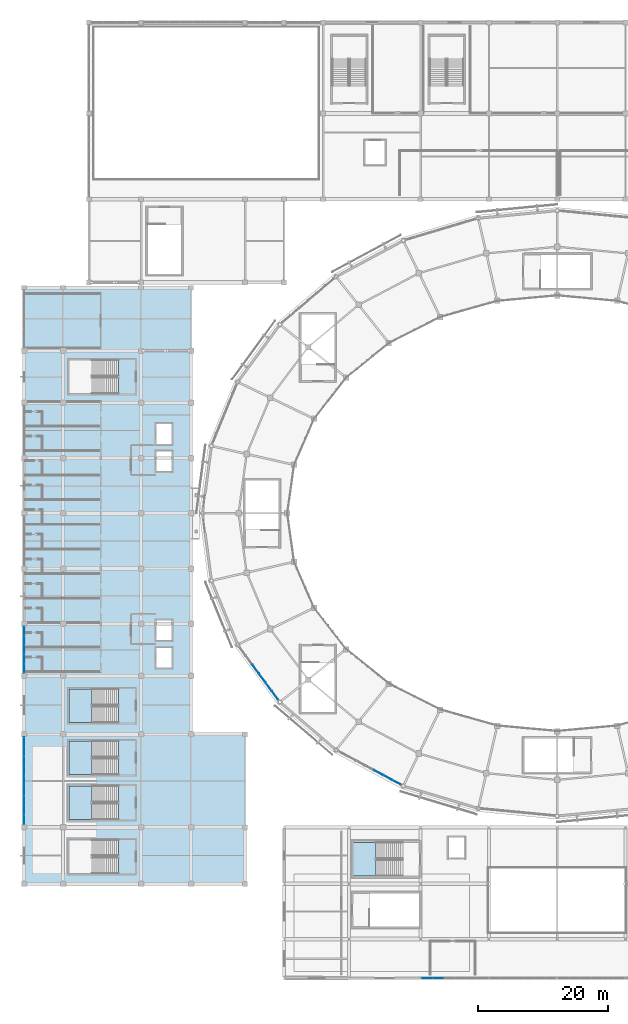
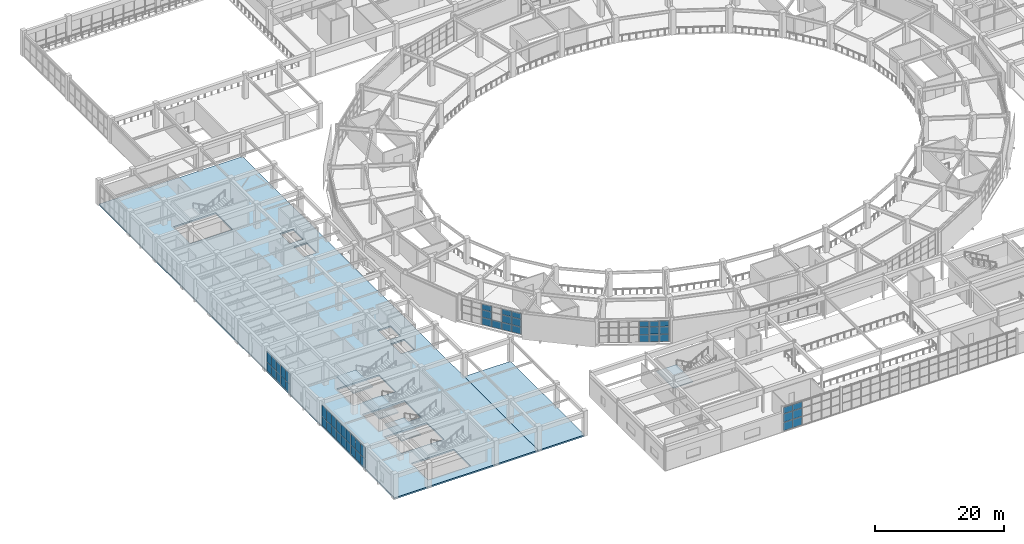
# One storey, part 66 of 112: 53 plates, 6 slabs, 9 elements without a shape of their own.
"""IFC4 building model written with IfcOpenShell, lengths in metres."""

from ifc_helpers import new_model, si_unit, direction, frame, origin, origin_2d, place, context, subcontext, project, spatial, polyline, rectangle, outline, extrude, material, layer, layer_set, type_object, element, aggregate, save


model = new_model("IFC4")

# Units and contexts
model_context = context("Model", 3, precision=1e-05, world=origin(), true_north=direction((0.0, 1.0)))
body_context = subcontext(model_context, "Body", "Model", "MODEL_VIEW")
ifc_project = project(units=[si_unit("LENGTHUNIT", "METRE"), si_unit("AREAUNIT", "SQUARE_METRE"), si_unit("VOLUMEUNIT", "CUBIC_METRE"), si_unit("PLANEANGLEUNIT", "RADIAN"), si_unit("MASSUNIT", "GRAM", prefix="KILO")], contexts=[model_context])

# Site, building, storey
site_placement = place(None, origin())
site = spatial("IfcSite", under=ifc_project, at=site_placement, CompositionType="ELEMENT")
building_placement = place(site_placement, origin())
building = spatial("IfcBuilding", under=site, at=building_placement, Name="Cuetzalor Civic Arena", CompositionType="ELEMENT")
storey_placement = place(building_placement, frame((0.0, 0.0, 11.39990234375)))
storey = spatial("IfcBuildingStorey", under=building, at=storey_placement, Name="L02", CompositionType="ELEMENT", Elevation=11.39990234375)

# Curtain wall, plates
ifc_material_1 = material(Name="Anodised dark bronze aluminium and low-E solar glass", Category="aluminium")
curtain_wall_type_1 = type_object("IfcCurtainWallType", Name="UnitisedCW_10150x4050", PredefinedType="USERDEFINED", material=ifc_material_1)
curtain_wall_1_placement = place(storey_placement, origin())
curtain_wall_1 = element("IfcCurtainWall", 1, at=curtain_wall_1_placement, inside=storey, type_object=curtain_wall_type_1, Name="Drum Triangle Foyer Curtain Wall L02-039", ObjectType="UNITISED CURTAIN WALL", PredefinedType="USERDEFINED")
ifc_material_2 = material(Name="Acoustic laminated solar control glass", Category="glass")
ifc_layer_1 = layer(ifc_material_2, 0.0439453125)
ifc_layer_set_1 = layer_set([ifc_layer_1], Name="Acoustic laminated solar control glass")
plate_type_1 = type_object("IfcPlateType", Name="AcousticTripleGlazedPanel_44", PredefinedType="CURTAIN_PANEL", material=ifc_layer_set_1)
plate_1_placement = place(storey_placement, frame((-43.40185546875, -28.000732421875, 0.06494140625), z_axis=(0.0, 0.0, 1.0), x_axis=(-0.59292931222, 0.805254513002, 0.0)))
plate_1 = element("IfcPlate", 2, at=plate_1_placement, type_object=plate_type_1, Name="CW-12 panel 1.1", PredefinedType="CURTAIN_PANEL", context=body_context, shape_type="SweptSolid", body=[
    extrude(rectangle(XDim=1.59326171875, YDim=0.0439453125, at=origin_2d()), origin(), (0.0, 0.0, 1.0), 1.361572265625),
])
plate_2_placement = place(storey_placement, frame((-43.40185546875, -28.000732421875, 1.491455078125), z_axis=(0.0, 0.0, 1.0), x_axis=(-0.59292931222, 0.805254513002, 0.0)))
plate_2 = element("IfcPlate", 3, at=plate_2_placement, type_object=plate_type_1, Name="CW-12 panel 1.2", PredefinedType="CURTAIN_PANEL", context=body_context, shape_type="SweptSolid", body=[
    extrude(rectangle(XDim=1.59326171875, YDim=0.0439453125, at=origin_2d()), origin(), (0.0, 0.0, 1.0), 1.39404296875),
])
plate_3_placement = place(storey_placement, frame((-43.40185546875, -28.000732421875, 2.950439453125), z_axis=(0.0, 0.0, 1.0), x_axis=(-0.59292931222, 0.805254513002, 0.0)))
plate_3 = element("IfcPlate", 4, at=plate_3_placement, type_object=plate_type_1, Name="CW-12 panel 1.3", PredefinedType="CURTAIN_PANEL", context=body_context, shape_type="SweptSolid", body=[
    extrude(rectangle(XDim=1.59326171875, YDim=0.0439453125, at=origin_2d()), origin(), (0.0, 0.0, 1.0), 1.03759765625),
])
plate_4_placement = place(storey_placement, frame((-44.394775390625, -26.652587890625, 0.06494140625), z_axis=(0.0, 0.0, 1.0), x_axis=(-0.59292931222, 0.805254513002, 0.0)))
plate_4 = element("IfcPlate", 5, at=plate_4_placement, type_object=plate_type_1, Name="CW-12 panel 2.1", PredefinedType="CURTAIN_PANEL", context=body_context, shape_type="SweptSolid", body=[
    extrude(rectangle(XDim=1.625732421875, YDim=0.0439453125, at=origin_2d()), origin(), (0.0, 0.0, 1.0), 1.361572265625),
])
plate_5_placement = place(storey_placement, frame((-44.394775390625, -26.652587890625, 1.491455078125), z_axis=(0.0, 0.0, 1.0), x_axis=(-0.59292931222, 0.805254513002, 0.0)))
plate_5 = element("IfcPlate", 6, at=plate_5_placement, type_object=plate_type_1, Name="CW-12 panel 2.2", PredefinedType="CURTAIN_PANEL", context=body_context, shape_type="SweptSolid", body=[
    extrude(rectangle(XDim=1.625732421875, YDim=0.0439453125, at=origin_2d()), origin(), (0.0, 0.0, 1.0), 1.39404296875),
])
plate_6_placement = place(storey_placement, frame((-44.394775390625, -26.652587890625, 2.950439453125), z_axis=(0.0, 0.0, 1.0), x_axis=(-0.59292931222, 0.805254513002, 0.0)))
plate_6 = element("IfcPlate", 7, at=plate_6_placement, type_object=plate_type_1, Name="CW-12 panel 2.3", PredefinedType="CURTAIN_PANEL", context=body_context, shape_type="SweptSolid", body=[
    extrude(rectangle(XDim=1.625732421875, YDim=0.0439453125, at=origin_2d()), origin(), (0.0, 0.0, 1.0), 1.03759765625),
])
plate_7_placement = place(storey_placement, frame((-45.397216796875, -25.291015625, 0.06494140625), z_axis=(0.0, 0.0, 1.0), x_axis=(-0.59292931222, 0.805254513002, 0.0)))
plate_7 = element("IfcPlate", 8, at=plate_7_placement, type_object=plate_type_1, Name="CW-12 panel 3.1", PredefinedType="CURTAIN_PANEL", context=body_context, shape_type="SweptSolid", body=[
    extrude(rectangle(XDim=1.625732421875, YDim=0.0439453125, at=origin_2d()), origin(), (0.0, 0.0, 1.0), 1.361572265625),
])
plate_8_placement = place(storey_placement, frame((-46.399658203125, -23.9296875, 0.06494140625), z_axis=(0.0, 0.0, 1.0), x_axis=(-0.59292931222, 0.805254513002, 0.0)))
plate_8 = element("IfcPlate", 9, at=plate_8_placement, type_object=plate_type_1, Name="CW-12 panel 4.1", PredefinedType="CURTAIN_PANEL", context=body_context, shape_type="SweptSolid", body=[
    extrude(rectangle(XDim=1.625732421875, YDim=0.0439453125, at=origin_2d()), origin(), (0.0, 0.0, 1.0), 1.361572265625),
])
plate_9_placement = place(storey_placement, frame((-46.399658203125, -23.9296875, 1.491455078125), z_axis=(0.0, 0.0, 1.0), x_axis=(-0.59292931222, 0.805254513002, 0.0)))
plate_9 = element("IfcPlate", 10, at=plate_9_placement, type_object=plate_type_1, Name="CW-12 panel 4.2", PredefinedType="CURTAIN_PANEL", context=body_context, shape_type="SweptSolid", body=[
    extrude(rectangle(XDim=1.625732421875, YDim=0.0439453125, at=origin_2d()), origin(), (0.0, 0.0, 1.0), 1.39404296875),
])
plate_10_placement = place(storey_placement, frame((-46.399658203125, -23.9296875, 2.950439453125), z_axis=(0.0, 0.0, 1.0), x_axis=(-0.59292931222, 0.805254513002, 0.0)))
plate_10 = element("IfcPlate", 11, at=plate_10_placement, type_object=plate_type_1, Name="CW-12 panel 4.3", PredefinedType="CURTAIN_PANEL", context=body_context, shape_type="SweptSolid", body=[
    extrude(rectangle(XDim=1.625732421875, YDim=0.0439453125, at=origin_2d()), origin(), (0.0, 0.0, 1.0), 1.03759765625),
])
aggregate(curtain_wall_1, [plate_1, plate_2, plate_3, plate_4, plate_5, plate_6, plate_7, plate_8, plate_9, plate_10])

ifc_material_3 = material(Name="Anodised dark bronze aluminium and low-E solar glass", Category="aluminium")
curtain_wall_type_2 = type_object("IfcCurtainWallType", Name="UnitisedCW_10950x4050", PredefinedType="USERDEFINED", material=ifc_material_3)
curtain_wall_2_placement = place(storey_placement, origin())
curtain_wall_2 = element("IfcCurtainWall", 12, at=curtain_wall_2_placement, inside=storey, type_object=curtain_wall_type_2, Name="Drum Triangle Foyer Curtain Wall L02-040", ObjectType="UNITISED CURTAIN WALL", PredefinedType="USERDEFINED")
plate_11_placement = place(storey_placement, frame((-24.7197265625, -41.37646484375, 0.06494140625), z_axis=(0.0, 0.0, 1.0), x_axis=(-0.881306344124, 0.472545371163, 0.0)))
plate_11 = element("IfcPlate", 13, at=plate_11_placement, type_object=plate_type_1, Name="CW-13 panel 1.1", PredefinedType="CURTAIN_PANEL", context=body_context, shape_type="SweptSolid", body=[
    extrude(rectangle(XDim=1.46630859375, YDim=0.0439453125, at=origin_2d()), origin(), (0.0, 0.0, 1.0), 1.361572265625),
])
plate_12_placement = place(storey_placement, frame((-24.7197265625, -41.37646484375, 1.491455078125), z_axis=(0.0, 0.0, 1.0), x_axis=(-0.881306344124, 0.472545371163, 0.0)))
plate_12 = element("IfcPlate", 14, at=plate_12_placement, type_object=plate_type_1, Name="CW-13 panel 1.2", PredefinedType="CURTAIN_PANEL", context=body_context, shape_type="SweptSolid", body=[
    extrude(rectangle(XDim=1.46630859375, YDim=0.0439453125, at=origin_2d()), origin(), (0.0, 0.0, 1.0), 1.39404296875),
])
plate_13_placement = place(storey_placement, frame((-24.7197265625, -41.37646484375, 2.950439453125), z_axis=(0.0, 0.0, 1.0), x_axis=(-0.881306344124, 0.472545371163, 0.0)))
plate_13 = element("IfcPlate", 15, at=plate_13_placement, type_object=plate_type_1, Name="CW-13 panel 1.3", PredefinedType="CURTAIN_PANEL", context=body_context, shape_type="SweptSolid", body=[
    extrude(rectangle(XDim=1.46630859375, YDim=0.0439453125, at=origin_2d()), origin(), (0.0, 0.0, 1.0), 1.03759765625),
])
plate_14_placement = place(storey_placement, frame((-26.08349609375, -40.64501953125, 0.06494140625), z_axis=(0.0, 0.0, 1.0), x_axis=(-0.881306344124, 0.472545371163, 0.0)))
plate_14 = element("IfcPlate", 16, at=plate_14_placement, type_object=plate_type_1, Name="CW-13 panel 2.1", PredefinedType="CURTAIN_PANEL", context=body_context, shape_type="SweptSolid", body=[
    extrude(rectangle(XDim=1.498779296875, YDim=0.0439453125, at=origin_2d()), origin(), (0.0, 0.0, 1.0), 1.361572265625),
])
plate_15_placement = place(storey_placement, frame((-26.08349609375, -40.64501953125, 1.491455078125), z_axis=(0.0, 0.0, 1.0), x_axis=(-0.881306344124, 0.472545371163, 0.0)))
plate_15 = element("IfcPlate", 17, at=plate_15_placement, type_object=plate_type_1, Name="CW-13 panel 2.2", PredefinedType="CURTAIN_PANEL", context=body_context, shape_type="SweptSolid", body=[
    extrude(rectangle(XDim=1.498779296875, YDim=0.0439453125, at=origin_2d()), origin(), (0.0, 0.0, 1.0), 1.39404296875),
])
plate_16_placement = place(storey_placement, frame((-26.08349609375, -40.64501953125, 2.950439453125), z_axis=(0.0, 0.0, 1.0), x_axis=(-0.881306344124, 0.472545371163, 0.0)))
plate_16 = element("IfcPlate", 18, at=plate_16_placement, type_object=plate_type_1, Name="CW-13 panel 2.3", PredefinedType="CURTAIN_PANEL", context=body_context, shape_type="SweptSolid", body=[
    extrude(rectangle(XDim=1.498779296875, YDim=0.0439453125, at=origin_2d()), origin(), (0.0, 0.0, 1.0), 1.03759765625),
])
plate_17_placement = place(storey_placement, frame((-27.461669921875, -39.90625, 0.06494140625), z_axis=(0.0, 0.0, 1.0), x_axis=(-0.881306344124, 0.472545371163, 0.0)))
plate_17 = element("IfcPlate", 19, at=plate_17_placement, type_object=plate_type_1, Name="CW-13 panel 3.1", PredefinedType="CURTAIN_PANEL", context=body_context, shape_type="SweptSolid", body=[
    extrude(rectangle(XDim=1.498779296875, YDim=0.0439453125, at=origin_2d()), origin(), (0.0, 0.0, 1.0), 1.361572265625),
])
plate_18_placement = place(storey_placement, frame((-27.461669921875, -39.90625, 1.491455078125), z_axis=(0.0, 0.0, 1.0), x_axis=(-0.881306344124, 0.472545371163, 0.0)))
plate_18 = element("IfcPlate", 20, at=plate_18_placement, type_object=plate_type_1, Name="CW-13 panel 3.2", PredefinedType="CURTAIN_PANEL", context=body_context, shape_type="SweptSolid", body=[
    extrude(rectangle(XDim=1.498779296875, YDim=0.0439453125, at=origin_2d()), origin(), (0.0, 0.0, 1.0), 1.39404296875),
])
plate_19_placement = place(storey_placement, frame((-27.461669921875, -39.90625, 2.950439453125), z_axis=(0.0, 0.0, 1.0), x_axis=(-0.881306344124, 0.472545371163, 0.0)))
plate_19 = element("IfcPlate", 21, at=plate_19_placement, type_object=plate_type_1, Name="CW-13 panel 3.3", PredefinedType="CURTAIN_PANEL", context=body_context, shape_type="SweptSolid", body=[
    extrude(rectangle(XDim=1.498779296875, YDim=0.0439453125, at=origin_2d()), origin(), (0.0, 0.0, 1.0), 1.03759765625),
])
aggregate(curtain_wall_2, [plate_11, plate_12, plate_13, plate_14, plate_15, plate_16, plate_17, plate_18, plate_19])

ifc_material_4 = material(Name="Anodised dark bronze aluminium and low-E solar glass", Category="aluminium")
curtain_wall_type_3 = type_object("IfcCurtainWallType", Name="UnitisedCW_13500x4000", PredefinedType="USERDEFINED", material=ifc_material_4)
curtain_wall_3_placement = place(storey_placement, origin())
curtain_wall_3 = element("IfcCurtainWall", 22, at=curtain_wall_3_placement, inside=storey, type_object=curtain_wall_type_3, Name="V4W Suite Viewing Curtain Wall L02-113", ObjectType="UNITISED CURTAIN WALL", PredefinedType="USERDEFINED")
plate_20_placement = place(storey_placement, frame((-82.0, -47.12744140625, 0.065185546875), z_axis=(0.0, 0.0, 1.0), x_axis=(0.0, 1.0, 0.0)))
plate_20 = element("IfcPlate", 23, at=plate_20_placement, type_object=plate_type_1, Name="CW-40 panel 1.1", PredefinedType="CURTAIN_PANEL", context=body_context, shape_type="SweptSolid", body=[
    extrude(rectangle(XDim=1.40087890625, YDim=0.0439453125, at=origin_2d()), origin(), (0.0, 0.0, 1.0), 1.6923828125),
])
plate_21_placement = place(storey_placement, frame((-82.0, -47.12744140625, 1.82275390625), z_axis=(0.0, 0.0, 1.0), x_axis=(0.0, 1.0, 0.0)))
plate_21 = element("IfcPlate", 24, at=plate_21_placement, type_object=plate_type_1, Name="CW-40 panel 1.2", PredefinedType="CURTAIN_PANEL", context=body_context, shape_type="SweptSolid", body=[
    extrude(rectangle(XDim=1.40087890625, YDim=0.0439453125, at=origin_2d()), origin(), (0.0, 0.0, 1.0), 2.089599609375),
])
plate_22_placement = place(storey_placement, frame((-82.0, -45.645263671875, 0.065185546875), z_axis=(0.0, 0.0, 1.0), x_axis=(0.0, 1.0, 0.0)))
plate_22 = element("IfcPlate", 25, at=plate_22_placement, type_object=plate_type_1, Name="CW-40 panel 2.1", PredefinedType="CURTAIN_PANEL", context=body_context, shape_type="SweptSolid", body=[
    extrude(rectangle(XDim=1.433349609375, YDim=0.0439453125, at=origin_2d()), origin(), (0.0, 0.0, 1.0), 1.6923828125),
])
plate_23_placement = place(storey_placement, frame((-82.0, -45.645263671875, 1.82275390625), z_axis=(0.0, 0.0, 1.0), x_axis=(0.0, 1.0, 0.0)))
plate_23 = element("IfcPlate", 26, at=plate_23_placement, type_object=plate_type_1, Name="CW-40 panel 2.2", PredefinedType="CURTAIN_PANEL", context=body_context, shape_type="SweptSolid", body=[
    extrude(rectangle(XDim=1.433349609375, YDim=0.0439453125, at=origin_2d()), origin(), (0.0, 0.0, 1.0), 2.089599609375),
])
plate_24_placement = place(storey_placement, frame((-82.0, -44.14697265625, 0.065185546875), z_axis=(0.0, 0.0, 1.0), x_axis=(0.0, 1.0, 0.0)))
plate_24 = element("IfcPlate", 27, at=plate_24_placement, type_object=plate_type_1, Name="CW-40 panel 3.1", PredefinedType="CURTAIN_PANEL", context=body_context, shape_type="SweptSolid", body=[
    extrude(rectangle(XDim=1.433349609375, YDim=0.0439453125, at=origin_2d()), origin(), (0.0, 0.0, 1.0), 1.6923828125),
])
plate_25_placement = place(storey_placement, frame((-82.0, -44.14697265625, 1.82275390625), z_axis=(0.0, 0.0, 1.0), x_axis=(0.0, 1.0, 0.0)))
plate_25 = element("IfcPlate", 28, at=plate_25_placement, type_object=plate_type_1, Name="CW-40 panel 3.2", PredefinedType="CURTAIN_PANEL", context=body_context, shape_type="SweptSolid", body=[
    extrude(rectangle(XDim=1.433349609375, YDim=0.0439453125, at=origin_2d()), origin(), (0.0, 0.0, 1.0), 2.089599609375),
])
plate_26_placement = place(storey_placement, frame((-82.0, -42.6484375, 0.065185546875), z_axis=(0.0, 0.0, 1.0), x_axis=(0.0, 1.0, 0.0)))
plate_26 = element("IfcPlate", 29, at=plate_26_placement, type_object=plate_type_1, Name="CW-40 panel 4.1", PredefinedType="CURTAIN_PANEL", context=body_context, shape_type="SweptSolid", body=[
    extrude(rectangle(XDim=1.433349609375, YDim=0.0439453125, at=origin_2d()), origin(), (0.0, 0.0, 1.0), 1.6923828125),
])
plate_27_placement = place(storey_placement, frame((-82.0, -42.6484375, 1.82275390625), z_axis=(0.0, 0.0, 1.0), x_axis=(0.0, 1.0, 0.0)))
plate_27 = element("IfcPlate", 30, at=plate_27_placement, type_object=plate_type_1, Name="CW-40 panel 4.2", PredefinedType="CURTAIN_PANEL", context=body_context, shape_type="SweptSolid", body=[
    extrude(rectangle(XDim=1.433349609375, YDim=0.0439453125, at=origin_2d()), origin(), (0.0, 0.0, 1.0), 2.089599609375),
])
plate_28_placement = place(storey_placement, frame((-82.0, -41.14990234375, 0.065185546875), z_axis=(0.0, 0.0, 1.0), x_axis=(0.0, 1.0, 0.0)))
plate_28 = element("IfcPlate", 31, at=plate_28_placement, type_object=plate_type_1, Name="CW-40 panel 5.1", PredefinedType="CURTAIN_PANEL", context=body_context, shape_type="SweptSolid", body=[
    extrude(rectangle(XDim=1.433349609375, YDim=0.0439453125, at=origin_2d()), origin(), (0.0, 0.0, 1.0), 1.6923828125),
])
plate_29_placement = place(storey_placement, frame((-82.0, -41.14990234375, 1.82275390625), z_axis=(0.0, 0.0, 1.0), x_axis=(0.0, 1.0, 0.0)))
plate_29 = element("IfcPlate", 32, at=plate_29_placement, type_object=plate_type_1, Name="CW-40 panel 5.2", PredefinedType="CURTAIN_PANEL", context=body_context, shape_type="SweptSolid", body=[
    extrude(rectangle(XDim=1.433349609375, YDim=0.0439453125, at=origin_2d()), origin(), (0.0, 0.0, 1.0), 2.089599609375),
])
plate_30_placement = place(storey_placement, frame((-82.0, -39.651611328125, 0.065185546875), z_axis=(0.0, 0.0, 1.0), x_axis=(0.0, 1.0, 0.0)))
plate_30 = element("IfcPlate", 33, at=plate_30_placement, type_object=plate_type_1, Name="CW-40 panel 6.1", PredefinedType="CURTAIN_PANEL", context=body_context, shape_type="SweptSolid", body=[
    extrude(rectangle(XDim=1.433349609375, YDim=0.0439453125, at=origin_2d()), origin(), (0.0, 0.0, 1.0), 1.6923828125),
])
plate_31_placement = place(storey_placement, frame((-82.0, -39.651611328125, 1.82275390625), z_axis=(0.0, 0.0, 1.0), x_axis=(0.0, 1.0, 0.0)))
plate_31 = element("IfcPlate", 34, at=plate_31_placement, type_object=plate_type_1, Name="CW-40 panel 6.2", PredefinedType="CURTAIN_PANEL", context=body_context, shape_type="SweptSolid", body=[
    extrude(rectangle(XDim=1.433349609375, YDim=0.0439453125, at=origin_2d()), origin(), (0.0, 0.0, 1.0), 2.089599609375),
])
plate_32_placement = place(storey_placement, frame((-82.0, -38.153076171875, 0.065185546875), z_axis=(0.0, 0.0, 1.0), x_axis=(0.0, 1.0, 0.0)))
plate_32 = element("IfcPlate", 35, at=plate_32_placement, type_object=plate_type_1, Name="CW-40 panel 7.1", PredefinedType="CURTAIN_PANEL", context=body_context, shape_type="SweptSolid", body=[
    extrude(rectangle(XDim=1.433349609375, YDim=0.0439453125, at=origin_2d()), origin(), (0.0, 0.0, 1.0), 1.6923828125),
])
plate_33_placement = place(storey_placement, frame((-82.0, -38.153076171875, 1.82275390625), z_axis=(0.0, 0.0, 1.0), x_axis=(0.0, 1.0, 0.0)))
plate_33 = element("IfcPlate", 36, at=plate_33_placement, type_object=plate_type_1, Name="CW-40 panel 7.2", PredefinedType="CURTAIN_PANEL", context=body_context, shape_type="SweptSolid", body=[
    extrude(rectangle(XDim=1.433349609375, YDim=0.0439453125, at=origin_2d()), origin(), (0.0, 0.0, 1.0), 2.089599609375),
])
plate_34_placement = place(storey_placement, frame((-82.0, -36.65478515625, 0.065185546875), z_axis=(0.0, 0.0, 1.0), x_axis=(0.0, 1.0, 0.0)))
plate_34 = element("IfcPlate", 37, at=plate_34_placement, type_object=plate_type_1, Name="CW-40 panel 8.1", PredefinedType="CURTAIN_PANEL", context=body_context, shape_type="SweptSolid", body=[
    extrude(rectangle(XDim=1.433349609375, YDim=0.0439453125, at=origin_2d()), origin(), (0.0, 0.0, 1.0), 1.6923828125),
])
plate_35_placement = place(storey_placement, frame((-82.0, -36.65478515625, 1.82275390625), z_axis=(0.0, 0.0, 1.0), x_axis=(0.0, 1.0, 0.0)))
plate_35 = element("IfcPlate", 38, at=plate_35_placement, type_object=plate_type_1, Name="CW-40 panel 8.2", PredefinedType="CURTAIN_PANEL", context=body_context, shape_type="SweptSolid", body=[
    extrude(rectangle(XDim=1.433349609375, YDim=0.0439453125, at=origin_2d()), origin(), (0.0, 0.0, 1.0), 2.089599609375),
])
plate_36_placement = place(storey_placement, frame((-82.0, -35.17236328125, 0.065185546875), z_axis=(0.0, 0.0, 1.0), x_axis=(0.0, 1.0, 0.0)))
plate_36 = element("IfcPlate", 39, at=plate_36_placement, type_object=plate_type_1, Name="CW-40 panel 9.1", PredefinedType="CURTAIN_PANEL", context=body_context, shape_type="SweptSolid", body=[
    extrude(rectangle(XDim=1.40087890625, YDim=0.0439453125, at=origin_2d()), origin(), (0.0, 0.0, 1.0), 1.6923828125),
])
plate_37_placement = place(storey_placement, frame((-82.0, -35.17236328125, 1.82275390625), z_axis=(0.0, 0.0, 1.0), x_axis=(0.0, 1.0, 0.0)))
plate_37 = element("IfcPlate", 40, at=plate_37_placement, type_object=plate_type_1, Name="CW-40 panel 9.2", PredefinedType="CURTAIN_PANEL", context=body_context, shape_type="SweptSolid", body=[
    extrude(rectangle(XDim=1.40087890625, YDim=0.0439453125, at=origin_2d()), origin(), (0.0, 0.0, 1.0), 2.089599609375),
])
aggregate(curtain_wall_3, [plate_20, plate_21, plate_22, plate_23, plate_24, plate_25, plate_26, plate_27, plate_28, plate_29, plate_30, plate_31, plate_32, plate_33, plate_34, plate_35, plate_36, plate_37])

ifc_material_5 = material(Name="Anodised dark bronze aluminium and low-E solar glass", Category="aluminium")
curtain_wall_type_4 = type_object("IfcCurtainWallType", Name="UnitisedCW_7200x3850", PredefinedType="USERDEFINED", material=ifc_material_5)
curtain_wall_4_placement = place(storey_placement, origin())
curtain_wall_4 = element("IfcCurtainWall", 41, at=curtain_wall_4_placement, inside=storey, type_object=curtain_wall_type_4, Name="V4W Suite Viewing Curtain Wall L02-114", ObjectType="UNITISED CURTAIN WALL", PredefinedType="USERDEFINED")
plate_38_placement = place(storey_placement, frame((-82.0, -23.858154296875, 0.06494140625), z_axis=(0.0, 0.0, 1.0), x_axis=(0.0, 1.0, 0.0)))
plate_38 = element("IfcPlate", 42, at=plate_38_placement, type_object=plate_type_1, Name="CW-41 panel 1.1", PredefinedType="CURTAIN_PANEL", context=body_context, shape_type="SweptSolid", body=[
    extrude(rectangle(XDim=1.339599609375, YDim=0.0439453125, at=origin_2d()), origin(), (0.0, 0.0, 1.0), 1.639404296875),
])
plate_39_placement = place(storey_placement, frame((-82.0, -23.858154296875, 1.76953125), z_axis=(0.0, 0.0, 1.0), x_axis=(0.0, 1.0, 0.0)))
plate_39 = element("IfcPlate", 43, at=plate_39_placement, type_object=plate_type_1, Name="CW-41 panel 1.2", PredefinedType="CURTAIN_PANEL", context=body_context, shape_type="SweptSolid", body=[
    extrude(rectangle(XDim=1.339599609375, YDim=0.0439453125, at=origin_2d()), origin(), (0.0, 0.0, 1.0), 2.025390625),
])
plate_40_placement = place(storey_placement, frame((-82.0, -22.437255859375, 0.06494140625), z_axis=(0.0, 0.0, 1.0), x_axis=(0.0, 1.0, 0.0)))
plate_40 = element("IfcPlate", 44, at=plate_40_placement, type_object=plate_type_1, Name="CW-41 panel 2.1", PredefinedType="CURTAIN_PANEL", context=body_context, shape_type="SweptSolid", body=[
    extrude(rectangle(XDim=1.372314453125, YDim=0.0439453125, at=origin_2d()), origin(), (0.0, 0.0, 1.0), 1.639404296875),
])
plate_41_placement = place(storey_placement, frame((-82.0, -22.437255859375, 1.76953125), z_axis=(0.0, 0.0, 1.0), x_axis=(0.0, 1.0, 0.0)))
plate_41 = element("IfcPlate", 45, at=plate_41_placement, type_object=plate_type_1, Name="CW-41 panel 2.2", PredefinedType="CURTAIN_PANEL", context=body_context, shape_type="SweptSolid", body=[
    extrude(rectangle(XDim=1.372314453125, YDim=0.0439453125, at=origin_2d()), origin(), (0.0, 0.0, 1.0), 2.025390625),
])
plate_42_placement = place(storey_placement, frame((-82.0, -21.0, 0.06494140625), z_axis=(0.0, 0.0, 1.0), x_axis=(0.0, 1.0, 0.0)))
plate_42 = element("IfcPlate", 46, at=plate_42_placement, type_object=plate_type_1, Name="CW-41 panel 3.1", PredefinedType="CURTAIN_PANEL", context=body_context, shape_type="SweptSolid", body=[
    extrude(rectangle(XDim=1.372314453125, YDim=0.0439453125, at=origin_2d()), origin(), (0.0, 0.0, 1.0), 1.639404296875),
])
plate_43_placement = place(storey_placement, frame((-82.0, -21.0, 1.76953125), z_axis=(0.0, 0.0, 1.0), x_axis=(0.0, 1.0, 0.0)))
plate_43 = element("IfcPlate", 47, at=plate_43_placement, type_object=plate_type_1, Name="CW-41 panel 3.2", PredefinedType="CURTAIN_PANEL", context=body_context, shape_type="SweptSolid", body=[
    extrude(rectangle(XDim=1.372314453125, YDim=0.0439453125, at=origin_2d()), origin(), (0.0, 0.0, 1.0), 2.025390625),
])
plate_44_placement = place(storey_placement, frame((-82.0, -19.562744140625, 0.06494140625), z_axis=(0.0, 0.0, 1.0), x_axis=(0.0, 1.0, 0.0)))
plate_44 = element("IfcPlate", 48, at=plate_44_placement, type_object=plate_type_1, Name="CW-41 panel 4.1", PredefinedType="CURTAIN_PANEL", context=body_context, shape_type="SweptSolid", body=[
    extrude(rectangle(XDim=1.372314453125, YDim=0.0439453125, at=origin_2d()), origin(), (0.0, 0.0, 1.0), 1.639404296875),
])
plate_45_placement = place(storey_placement, frame((-82.0, -19.562744140625, 1.76953125), z_axis=(0.0, 0.0, 1.0), x_axis=(0.0, 1.0, 0.0)))
plate_45 = element("IfcPlate", 49, at=plate_45_placement, type_object=plate_type_1, Name="CW-41 panel 4.2", PredefinedType="CURTAIN_PANEL", context=body_context, shape_type="SweptSolid", body=[
    extrude(rectangle(XDim=1.372314453125, YDim=0.0439453125, at=origin_2d()), origin(), (0.0, 0.0, 1.0), 2.025390625),
])
plate_46_placement = place(storey_placement, frame((-82.0, -18.141845703125, 0.06494140625), z_axis=(0.0, 0.0, 1.0), x_axis=(0.0, 1.0, 0.0)))
plate_46 = element("IfcPlate", 50, at=plate_46_placement, type_object=plate_type_1, Name="CW-41 panel 5.1", PredefinedType="CURTAIN_PANEL", context=body_context, shape_type="SweptSolid", body=[
    extrude(rectangle(XDim=1.339599609375, YDim=0.0439453125, at=origin_2d()), origin(), (0.0, 0.0, 1.0), 1.639404296875),
])
plate_47_placement = place(storey_placement, frame((-82.0, -18.141845703125, 1.76953125), z_axis=(0.0, 0.0, 1.0), x_axis=(0.0, 1.0, 0.0)))
plate_47 = element("IfcPlate", 51, at=plate_47_placement, type_object=plate_type_1, Name="CW-41 panel 5.2", PredefinedType="CURTAIN_PANEL", context=body_context, shape_type="SweptSolid", body=[
    extrude(rectangle(XDim=1.339599609375, YDim=0.0439453125, at=origin_2d()), origin(), (0.0, 0.0, 1.0), 2.025390625),
])
aggregate(curtain_wall_4, [plate_38, plate_39, plate_40, plate_41, plate_42, plate_43, plate_44, plate_45, plate_46, plate_47])

ifc_material_6 = material(Name="Anodised dark bronze aluminium and low-E solar glass", Category="aluminium")
curtain_wall_type_5 = type_object("IfcCurtainWallType", Name="StickCW_10250x4500", PredefinedType="USERDEFINED", material=ifc_material_6)
curtain_wall_5_placement = place(storey_placement, origin())
curtain_wall_5 = element("IfcCurtainWall", 52, at=curtain_wall_5_placement, inside=storey, type_object=curtain_wall_type_5, Name="South Civic Square Curtain Wall L02-087", ObjectType="STICK CURTAIN WALL", PredefinedType="USERDEFINED")
ifc_material_7 = material(Name="Low-E laminated solar control glass", Category="glass")
ifc_layer_2 = layer(ifc_material_7, 0.031982421875)
ifc_layer_set_2 = layer_set([ifc_layer_2], Name="Low-E laminated solar control glass")
plate_type_2 = type_object("IfcPlateType", Name="SolarControlGlazedPanel_32", PredefinedType="CURTAIN_PANEL", material=ifc_layer_set_2)
plate_48_placement = place(storey_placement, frame((-18.312744140625, -71.5, 0.06494140625), z_axis=(0.0, 0.0, 1.0), x_axis=(-1.0, 0.0, 0.0)))
plate_48 = element("IfcPlate", 53, at=plate_48_placement, type_object=plate_type_2, Name="CW-27 panel 5.1", PredefinedType="CURTAIN_PANEL", context=body_context, shape_type="SweptSolid", body=[
    extrude(rectangle(XDim=1.6435546875, YDim=0.031982421875, at=origin_2d()), origin(), (0.0, 0.0, 1.0), 1.529541015625),
])
plate_49_placement = place(storey_placement, frame((-18.312744140625, -71.5, 1.65966796875), z_axis=(0.0, 0.0, 1.0), x_axis=(-1.0, 0.0, 0.0)))
plate_49 = element("IfcPlate", 54, at=plate_49_placement, type_object=plate_type_2, Name="CW-27 panel 5.2", PredefinedType="CURTAIN_PANEL", context=body_context, shape_type="SweptSolid", body=[
    extrude(rectangle(XDim=1.6435546875, YDim=0.031982421875, at=origin_2d()), origin(), (0.0, 0.0, 1.0), 1.56201171875),
])
plate_50_placement = place(storey_placement, frame((-18.312744140625, -71.5, 3.28662109375), z_axis=(0.0, 0.0, 1.0), x_axis=(-1.0, 0.0, 0.0)))
plate_50 = element("IfcPlate", 55, at=plate_50_placement, type_object=plate_type_2, Name="CW-27 panel 5.3", PredefinedType="CURTAIN_PANEL", context=body_context, shape_type="SweptSolid", body=[
    extrude(rectangle(XDim=1.6435546875, YDim=0.031982421875, at=origin_2d()), origin(), (0.0, 0.0, 1.0), 1.16845703125),
])
plate_51_placement = place(storey_placement, frame((-20.0048828125, -71.5, 0.06494140625), z_axis=(0.0, 0.0, 1.0), x_axis=(-1.0, 0.0, 0.0)))
plate_51 = element("IfcPlate", 56, at=plate_51_placement, type_object=plate_type_2, Name="CW-27 panel 6.1", PredefinedType="CURTAIN_PANEL", context=body_context, shape_type="SweptSolid", body=[
    extrude(rectangle(XDim=1.611083984375, YDim=0.031982421875, at=origin_2d()), origin(), (0.0, 0.0, 1.0), 1.529541015625),
])
plate_52_placement = place(storey_placement, frame((-20.0048828125, -71.5, 1.65966796875), z_axis=(0.0, 0.0, 1.0), x_axis=(-1.0, 0.0, 0.0)))
plate_52 = element("IfcPlate", 57, at=plate_52_placement, type_object=plate_type_2, Name="CW-27 panel 6.2", PredefinedType="CURTAIN_PANEL", context=body_context, shape_type="SweptSolid", body=[
    extrude(rectangle(XDim=1.611083984375, YDim=0.031982421875, at=origin_2d()), origin(), (0.0, 0.0, 1.0), 1.56201171875),
])
plate_53_placement = place(storey_placement, frame((-20.0048828125, -71.5, 3.28662109375), z_axis=(0.0, 0.0, 1.0), x_axis=(-1.0, 0.0, 0.0)))
plate_53 = element("IfcPlate", 58, at=plate_53_placement, type_object=plate_type_2, Name="CW-27 panel 6.3", PredefinedType="CURTAIN_PANEL", context=body_context, shape_type="SweptSolid", body=[
    extrude(rectangle(XDim=1.611083984375, YDim=0.031982421875, at=origin_2d()), origin(), (0.0, 0.0, 1.0), 1.16845703125),
])
aggregate(curtain_wall_5, [plate_48, plate_49, plate_50, plate_51, plate_52, plate_53])

# Stair, slab
ifc_material_8 = material(Name="Precast concrete C40/50", Category="concrete")
stair_type = type_object("IfcStairType", Name="EnclosedExitStair_H480", PredefinedType="HALF_TURN_STAIR", material=ifc_material_8)
stair_1_placement = place(storey_placement, origin())
stair_1 = element("IfcStair", 59, at=stair_1_placement, inside=storey, type_object=stair_type, Name="L02 Enclosed Exit Stair ST-10", PredefinedType="HALF_TURN_STAIR")
ifc_material_9 = material(Name="Concrete C40/50", Category="concrete")
ifc_layer_3 = layer(ifc_material_9, 0.199951171875)
ifc_layer_set_3 = layer_set([ifc_layer_3], Name="Concrete C40/50")
slab_type_1 = type_object("IfcSlabType", Name="StairHalfLandingSlab_200", PredefinedType="LANDING", material=ifc_layer_set_3)
slab_1_placement = place(storey_placement, frame((0.0, 0.0, 2.2001953125)))
slab_1 = element("IfcSlab", 60, at=slab_1_placement, type_object=slab_type_1, Name="ST-10 landing 1", PredefinedType="LANDING", context=body_context, shape_type="SweptSolid", body=[
    extrude(outline(polyline([(-27.884033203125, -50.60009765625), (-31.39990234375, -50.60009765625), (-31.39990234375, -55.800048828125), (-27.884033203125, -55.800048828125), (-27.884033203125, -50.60009765625)])), origin(), (0.0, 0.0, 1.0), 0.199951171875),
])
aggregate(stair_1, [slab_1])

stair_2_placement = place(storey_placement, origin())
stair_2 = element("IfcStair", 61, at=stair_2_placement, inside=storey, type_object=stair_type, Name="L02 Enclosed Exit Stair ST-14", PredefinedType="HALF_TURN_STAIR")
slab_2_placement = place(storey_placement, frame((0.0, 0.0, 2.2001953125)))
slab_2 = element("IfcSlab", 62, at=slab_2_placement, type_object=slab_type_1, Name="ST-14 landing 1", PredefinedType="LANDING", context=body_context, shape_type="SweptSolid", body=[
    extrude(outline(polyline([(-71.583984375, -41.89990234375), (-75.10009765625, -41.89990234375), (-75.10009765625, -47.10009765625), (-71.583984375, -47.10009765625), (-71.583984375, -41.89990234375)])), origin(), (0.0, 0.0, 1.0), 0.199951171875),
])
aggregate(stair_2, [slab_2])

stair_3_placement = place(storey_placement, origin())
stair_3 = element("IfcStair", 63, at=stair_3_placement, inside=storey, type_object=stair_type, Name="L02 Enclosed Exit Stair ST-15", PredefinedType="HALF_TURN_STAIR")
slab_3_placement = place(storey_placement, frame((0.0, 0.0, 2.2001953125)))
slab_3 = element("IfcSlab", 64, at=slab_3_placement, type_object=slab_type_1, Name="ST-15 landing 1", PredefinedType="LANDING", context=body_context, shape_type="SweptSolid", body=[
    extrude(outline(polyline([(-71.583984375, -35.0), (-75.10009765625, -35.0), (-75.10009765625, -40.199951171875), (-71.583984375, -40.199951171875), (-71.583984375, -35.0)])), origin(), (0.0, 0.0, 1.0), 0.199951171875),
])
aggregate(stair_3, [slab_3])

stair_4_placement = place(storey_placement, origin())
stair_4 = element("IfcStair", 65, at=stair_4_placement, inside=storey, type_object=stair_type, Name="L02 Enclosed Exit Stair ST-16", PredefinedType="HALF_TURN_STAIR")
slab_4_placement = place(storey_placement, frame((0.0, 0.0, 2.2001953125)))
slab_4 = element("IfcSlab", 66, at=slab_4_placement, type_object=slab_type_1, Name="ST-16 landing 1", PredefinedType="LANDING", context=body_context, shape_type="SweptSolid", body=[
    extrude(outline(polyline([(-71.583984375, -27.0), (-75.10009765625, -27.0), (-75.10009765625, -32.199951171875), (-71.583984375, -32.199951171875), (-71.583984375, -27.0)])), origin(), (0.0, 0.0, 1.0), 0.199951171875),
])
aggregate(stair_4, [slab_4])

# Slabs
ifc_material_10 = material(Name="Concrete C35/45", Category="concrete")
ifc_layer_4 = layer(ifc_material_10, 0.280029296875)
ifc_layer_set_4 = layer_set([ifc_layer_4], Name="Concrete C35/45")
slab_type_2 = type_object("IfcSlabType", Name="SuspendedFloorSlab_280", PredefinedType="FLOOR", material=ifc_layer_set_4)
slab_5_placement = place(storey_placement, frame((0.0, 0.0, -0.27978515625)))
element("IfcSlab", 67, at=slab_5_placement, inside=storey, type_object=slab_type_2, Name="V4W Concourse and Suite Floor Slab L02", PredefinedType="FLOOR", context=body_context, shape_type="SweptSolid", body=[
    extrude(outline(polyline([(-82.0, -57.0), (-56.300048828125, -57.0), (-56.300048828125, 34.699951171875), (-82.0, 34.699951171875), (-82.0, -57.0)]), holes=[polyline([(-75.10009765625, -55.39990234375), (-67.5, -55.39990234375), (-67.5, -50.199951171875), (-75.10009765625, -50.199951171875), (-75.10009765625, -55.39990234375)]), polyline([(-75.10009765625, -47.10009765625), (-67.5, -47.10009765625), (-67.5, -41.89990234375), (-75.10009765625, -41.89990234375), (-75.10009765625, -47.10009765625)]), polyline([(-75.10009765625, -40.199951171875), (-67.5, -40.199951171875), (-67.5, -35.0), (-75.10009765625, -35.0), (-75.10009765625, -40.199951171875)]), polyline([(-75.10009765625, -32.199951171875), (-67.5, -32.199951171875), (-67.5, -27.0), (-75.10009765625, -27.0), (-75.10009765625, -32.199951171875)]), polyline([(-75.10009765625, 18.39990234375), (-67.5, 18.39990234375), (-67.5, 23.60009765625), (-75.10009765625, 23.60009765625), (-75.10009765625, 18.39990234375)]), polyline([(-61.699951171875, -19.550048828125), (-59.300048828125, -19.550048828125), (-59.300048828125, -16.449951171875), (-61.699951171875, -16.449951171875), (-61.699951171875, -19.550048828125)]), polyline([(-61.699951171875, 6.449951171875), (-59.300048828125, 6.449951171875), (-59.300048828125, 9.550048828125), (-61.699951171875, 9.550048828125), (-61.699951171875, 6.449951171875)]), polyline([(-61.699951171875, -23.75), (-59.300048828125, -23.75), (-59.300048828125, -20.64990234375), (-61.699951171875, -20.64990234375), (-61.699951171875, -23.75)]), polyline([(-61.699951171875, 10.64990234375), (-59.300048828125, 10.64990234375), (-59.300048828125, 13.75), (-61.699951171875, 13.75), (-61.699951171875, 10.64990234375)])]), origin(), (0.0, 0.0, 1.0), 0.27978515625),
])
slab_6_placement = place(storey_placement, frame((0.0, 0.0, -0.27978515625)))
element("IfcSlab", 68, at=slab_6_placement, inside=storey, type_object=slab_type_2, Name="V4W Return Floor Slab L02", PredefinedType="FLOOR", context=body_context, shape_type="SweptSolid", body=[
    extrude(outline(polyline([(-56.300048828125, -57.0), (-48.0, -57.0), (-48.0, -34.0), (-56.300048828125, -34.0), (-56.300048828125, -57.0)])), origin(), (0.0, 0.0, 1.0), 0.27978515625),
])

save(model, "model.ifc")
